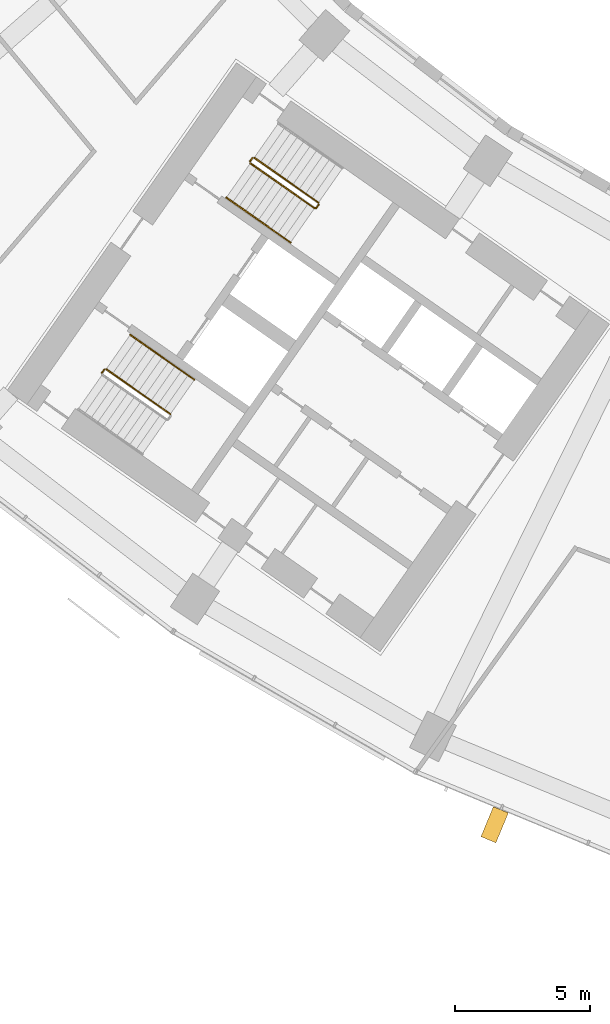
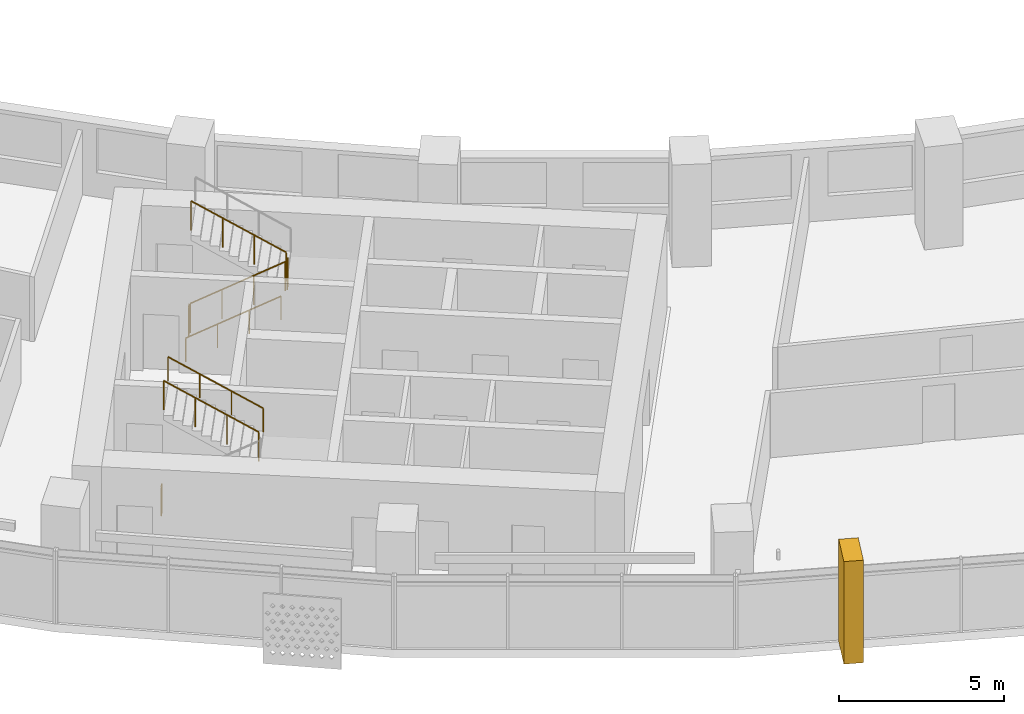
# One storey, part 25 of 30: 7 railings, 1 shading device.
"""IFC4 building model written with IfcOpenShell, lengths in metres."""

import ifcopenshell
import ifcopenshell.guid

model = None  # the IFC model being written
_history = None  # IfcOwnerHistory: only IFC2X3 demands one
_inside = {}  # id of a spatial element -> (the spatial element, [elements in it])
_under = {}  # id of a project, library or spatial element -> (it, [spatial elements below it])
_declared = {}  # id of a project -> (the project, [libraries it declares])
_typed = {}  # id of a type object -> (the type object, [elements of that type])
_made_of = {}  # id of a material, layer set ... -> (it, [elements and type objects made of it])


def new_model(schema):
    """Start an empty IFC model of exactly this schema.

    Asked for "IFC4X3", IfcOpenShell would pick the latest addendum, in which some entities
    have other attributes; the version numbers below select the first issue.
    IFC2X3 requires an IfcOwnerHistory on every rooted entity: one is made here for all.
    """
    global model, _history
    if schema == "IFC4X3":
        model = ifcopenshell.file(schema_version=(4, 3, 0, 0))
    else:
        model = ifcopenshell.file(schema=schema)
    _inside.clear()
    _under.clear()
    _declared.clear()
    _typed.clear()
    _made_of.clear()
    _history = None
    if model.schema == "IFC2X3":
        org = make("IfcOrganization", Name="unknown")
        user = make(
            "IfcPersonAndOrganization",
            ThePerson=make("IfcPerson", FamilyName="unknown"),
            TheOrganization=org,
        )
        app = make(
            "IfcApplication",
            ApplicationDeveloper=org,
            Version="unknown",
            ApplicationFullName="unknown",
            ApplicationIdentifier="unknown",
        )
        _history = make(
            "IfcOwnerHistory",
            OwningUser=user,
            OwningApplication=app,
            ChangeAction="ADDED",
            CreationDate=0,
        )
    return model


def make(cls, **values):
    """One entity of the class cls with the attributes given. An attribute that is None is left unset."""
    return model.create_entity(
        cls, **{name: value for name, value in values.items() if value is not None}
    )


def rooted(cls, **values):
    """An entity with a GlobalId (a new one), such as an element, a storey or a relation."""
    return make(cls, GlobalId=ifcopenshell.guid.new(), OwnerHistory=_history, **values)


def si_unit(unit_type, name, prefix=None):
    """IfcSIUnit, for example si_unit("LENGTHUNIT", "METRE", prefix="MILLI")."""
    return make("IfcSIUnit", UnitType=unit_type, Prefix=prefix, Name=name)


def assignment(units):
    """IfcUnitAssignment: the units of a project."""
    return None if units is None else make("IfcUnitAssignment", Units=units)


def point(xyz):
    """IfcCartesianPoint."""
    return None if xyz is None else make("IfcCartesianPoint", Coordinates=xyz)


def direction(xyz):
    """IfcDirection."""
    return None if xyz is None else make("IfcDirection", DirectionRatios=xyz)


def frame(location, z_axis=None, x_axis=None):
    """IfcAxis2Placement3D, a coordinate frame: its origin and axes. An axis left out is left unset."""
    return make(
        "IfcAxis2Placement3D",
        Location=point(location),
        Axis=direction(z_axis),
        RefDirection=direction(x_axis),
    )


def frame_2d(location, x_axis=None):
    """IfcAxis2Placement2D, a coordinate frame in the plane: its origin and x axis."""
    return make(
        "IfcAxis2Placement2D", Location=point(location), RefDirection=direction(x_axis)
    )


def origin():
    """The frame at (0, 0, 0) with its axes left unset."""
    return frame((0.0, 0.0, 0.0))


def origin_2d():
    """The frame at (0, 0) in the plane with its x axis left unset."""
    return frame_2d((0.0, 0.0))


def place(relative_to, where):
    """IfcLocalPlacement: puts the frame where relative to a parent placement (None: the world)."""
    return make(
        "IfcLocalPlacement", PlacementRelTo=relative_to, RelativePlacement=where
    )


def context(
    kind, dimensions, precision=None, world=None, true_north=None, identifier=None
):
    """IfcGeometricRepresentationContext, for example the 3D "Model" context."""
    return make(
        "IfcGeometricRepresentationContext",
        ContextIdentifier=identifier,
        ContextType=kind,
        CoordinateSpaceDimension=dimensions,
        Precision=precision,
        WorldCoordinateSystem=world,
        TrueNorth=true_north,
    )


def subcontext(parent, identifier, kind, view, scale=None):
    """IfcGeometricRepresentationSubContext, for example "Body" below "Model"."""
    return make(
        "IfcGeometricRepresentationSubContext",
        ContextIdentifier=identifier,
        ContextType=kind,
        ParentContext=parent,
        TargetScale=scale,
        TargetView=view,
    )


def project(units=None, contexts=None):
    """IfcProject with its units and contexts."""
    return rooted(
        "IfcProject",
        Name="project",
        RepresentationContexts=contexts,
        UnitsInContext=assignment(units),
    )


def spatial(cls, under=None, at=None, **own):
    """A site, building, storey or space (cls), placed at a placement, below another one or the project."""
    s = rooted(cls, ObjectPlacement=at, **own)
    if under is not None:
        _under.setdefault(under.id(), (under, []))[1].append(s)
    return s


def polyline(points):
    """IfcPolyline through the points."""
    return make("IfcPolyline", Points=[point(p) for p in points])


def profile(cls, at=None, kind="AREA", **sizes):
    """A parametric profile (cls). Its sizes go by their IFC names, for example OverallWidth=200.0."""
    return make(cls, ProfileType=kind, Position=at, **sizes)


def circle(**sizes):
    """IfcCircleProfileDef."""
    return profile("IfcCircleProfileDef", **sizes)


def outline(outer, holes=None, kind="AREA"):
    """IfcArbitraryClosedProfileDef: a profile drawn as a closed curve; with holes, ...WithVoids."""
    if holes is None:
        return make("IfcArbitraryClosedProfileDef", ProfileType=kind, OuterCurve=outer)
    return make(
        "IfcArbitraryProfileDefWithVoids",
        ProfileType=kind,
        OuterCurve=outer,
        InnerCurves=holes,
    )


def extrude(swept, where, along, depth):
    """IfcExtrudedAreaSolid: the profile swept, set in the frame where, extruded along a direction by depth."""
    return make(
        "IfcExtrudedAreaSolid",
        SweptArea=swept,
        Position=where,
        ExtrudedDirection=direction(along),
        Depth=depth,
    )


def shape(context_of_items, identifier, shape_type, items):
    """IfcShapeRepresentation: the items that make up one representation, for example the "Body"."""
    return make(
        "IfcShapeRepresentation",
        ContextOfItems=context_of_items,
        RepresentationIdentifier=identifier,
        RepresentationType=shape_type,
        Items=items,
    )


def material(Name=None, Category=None):
    """IfcMaterial."""
    return make("IfcMaterial", Name=Name, Category=Category)


def made_of(thing, what):
    """Note that an element or type object is made of a material, layer set ...; save() writes the relation."""
    if what is not None:
        _made_of.setdefault(what.id(), (what, []))[1].append(thing)
    return thing


def type_object(cls, material=None, **own):
    """A type object (cls), such as IfcWallType, which elements share."""
    return made_of(rooted(cls, **own), material)


def element(
    cls,
    number,
    at=None,
    inside=None,
    cuts=None,
    type_object=None,
    material=None,
    context=None,
    identifier="Body",
    shape_type=None,
    held_by="IfcProductDefinitionShape",
    body=None,
    shapes=None,
    **own,
):
    """One element of the class cls, such as IfcWall. Its Tag is "e" and its number.

    at: its placement. inside: the storey or other place that contains it. cuts: it is an
    opening in that element (IfcRelVoidsElement). A single representation is given by context,
    identifier, shape_type and body (its items); several are given by shapes. held_by: the class
    of the entity that holds the representations. save() writes the other relations.
    """
    e = rooted(cls, Tag="e%d" % number, ObjectPlacement=at, **own)
    if body is not None:
        shapes = [shape(context, identifier, shape_type, body)]
    if shapes is not None:
        e.Representation = make(held_by, Representations=shapes)
    if inside is not None:
        _inside.setdefault(inside.id(), (inside, []))[1].append(e)
    if cuts is not None:
        rooted(
            "IfcRelVoidsElement", RelatingBuildingElement=cuts, RelatedOpeningElement=e
        )
    if type_object is not None:
        _typed.setdefault(type_object.id(), (type_object, []))[1].append(e)
    return made_of(e, material)


def aggregate(whole, parts):
    """IfcRelAggregates: a whole, such as a stair, and the parts it consists of."""
    return rooted("IfcRelAggregates", RelatingObject=whole, RelatedObjects=parts)


def save(model, path):
    """Write the relations noted so far, then the file.

    IfcRelAggregates (storeys below a building ...), IfcRelContainedInSpatialStructure (elements
    in a storey), IfcRelDefinesByType, IfcRelAssociatesMaterial and IfcRelDeclares: one each for
    every whole, place, type object, material and project.
    """
    for whole, parts in _under.values():
        aggregate(whole, parts)
    for where, things in _inside.values():
        rooted(
            "IfcRelContainedInSpatialStructure",
            RelatedElements=things,
            RelatingStructure=where,
        )
    for kind, things in _typed.values():
        rooted("IfcRelDefinesByType", RelatedObjects=things, RelatingType=kind)
    for what, things in _made_of.values():
        rooted("IfcRelAssociatesMaterial", RelatedObjects=things, RelatingMaterial=what)
    for by, libraries in _declared.values():
        rooted("IfcRelDeclares", RelatingContext=by, RelatedDefinitions=libraries)
    model.write(path)


model = new_model("IFC4")

# Units and contexts
model_context = context("Model", 3, precision=1e-05, world=origin(), true_north=direction((0.0, 1.0)))
body_context = subcontext(model_context, "Body", "Model", "MODEL_VIEW")
ifc_project = project(units=[si_unit("LENGTHUNIT", "METRE"), si_unit("AREAUNIT", "SQUARE_METRE"), si_unit("VOLUMEUNIT", "CUBIC_METRE"), si_unit("PLANEANGLEUNIT", "RADIAN"), si_unit("MASSUNIT", "GRAM", prefix="KILO")], contexts=[model_context])

# Site, building, storey
site_placement = place(None, origin())
site = spatial("IfcSite", under=ifc_project, at=site_placement, CompositionType="ELEMENT")
building_placement = place(site_placement, origin())
building = spatial("IfcBuilding", under=site, at=building_placement, Name="Qamariyya Broadcast Tower", CompositionType="ELEMENT")
storey_placement = place(building_placement, frame((0.0, 0.0, 98.699951171875)))
storey = spatial("IfcBuildingStorey", under=building, at=storey_placement, Name="L21", CompositionType="ELEMENT", Elevation=98.699951171875)

# Shading device
ifc_material_1 = material(Name="Steel S355 powder coated deep red", Category="steel")
shading_device_type = type_object("IfcShadingDeviceType", Name="Deep red frame, powder coated steel box section", PredefinedType="USERDEFINED", material=ifc_material_1)
shading_device_placement = place(storey_placement, origin())
element("IfcShadingDevice", 1, at=shading_device_placement, inside=storey, type_object=shading_device_type, Name="e-frm-B2-F1-posta-L21", ObjectType="FRAME", PredefinedType="USERDEFINED", context=body_context, shape_type="SweptSolid", body=[
    extrude(outline(polyline([(-32.15625, -72.330322265625), (-32.615478515625, -73.43896484375), (-32.06103515625, -73.668701171875), (-31.601806640625, -72.56005859375), (-32.15625, -72.330322265625)])), origin(), (0.0, 0.0, 1.0), 3.800048828125),
])

# Railings
ifc_material_2 = material(Name="Painted steel", Category="steel")
railing_type_1 = type_object("IfcRailingType", Name="Stair guard", PredefinedType="GUARDRAIL", material=ifc_material_2)
railing_1_placement = place(storey_placement, frame((-41.146728515625, -48.52490234375, 0.1728515625)))
element("IfcRailing", 2, at=railing_1_placement, inside=storey, type_object=railing_type_1, Name="L21 ST-W2 stair guard 1", PredefinedType="GUARDRAIL", context=body_context, shape_type="SweptSolid", body=[
    extrude(circle(Radius=0.02392578125, at=origin_2d()), frame((0.0, 0.0, 1.076171875), z_axis=(0.703770094002, -0.492783725636, 0.511734163933), x_axis=(0.573575343427, 0.819152809562, 0.0)), (0.0, 0.0, 1.0), 3.37548828125),
    extrude(circle(Radius=0.02392578125, at=origin_2d()), frame((2.37548828125, -1.663330078125, 2.80322265625), z_axis=(0.985059694769, 0.172213233351, 0.0), x_axis=(-0.172213233351, 0.985059694769, 0.0)), (0.0, 0.0, 1.0), 0.07080078125),
    extrude(circle(Radius=0.02392578125, at=origin_2d()), frame((2.4453125, -1.651123046875, 2.80322265625), z_axis=(0.572588637393, 0.819842821722, 0.0), x_axis=(-0.819842821722, 0.572588637393, 0.0)), (0.0, 0.0, 1.0), 0.150146484375),
    extrude(circle(Radius=0.02099609375, at=origin_2d()), origin(), (0.0, 0.0, 1.0), 1.052001953125),
    extrude(circle(Radius=0.02099609375, at=origin_2d()), frame((0.791748046875, -0.554443359375, 0.57568359375)), (0.0, 0.0, 1.0), 1.052001953125),
    extrude(circle(Radius=0.02099609375, at=origin_2d()), frame((1.583740234375, -1.10888671875, 1.151611328125)), (0.0, 0.0, 1.0), 1.052001953125),
    extrude(circle(Radius=0.02099609375, at=origin_2d()), frame((2.37548828125, -1.663330078125, 1.727294921875)), (0.0, 0.0, 1.0), 1.052001953125),
    extrude(circle(Radius=0.02099609375, at=origin_2d()), frame((2.4453125, -1.651123046875, 1.727294921875)), (0.0, 0.0, 1.0), 1.052001953125),
    extrude(circle(Radius=0.02099609375, at=origin_2d()), frame((2.53125, -1.528076171875, 1.727294921875)), (0.0, 0.0, 1.0), 1.052001953125),
])
railing_2_placement = place(storey_placement, frame((-38.627685546875, -49.9833984375, 2.07275390625)))
element("IfcRailing", 3, at=railing_2_placement, inside=storey, type_object=railing_type_1, Name="L21 ST-W2 stair guard 2", PredefinedType="GUARDRAIL", context=body_context, shape_type="SweptSolid", body=[
    extrude(circle(Radius=0.02392578125, at=origin_2d()), frame((0.0, 0.0, 1.076171875), z_axis=(-0.703770094002, 0.492783725636, 0.511734163933), x_axis=(-0.573575343427, -0.819152809562, 0.0)), (0.0, 0.0, 1.0), 3.37548828125),
    extrude(circle(Radius=0.02099609375, at=origin_2d()), origin(), (0.0, 0.0, 1.0), 1.052001953125),
    extrude(circle(Radius=0.02099609375, at=origin_2d()), frame((-0.791748046875, 0.554443359375, 0.57568359375)), (0.0, 0.0, 1.0), 1.052001953125),
    extrude(circle(Radius=0.02099609375, at=origin_2d()), frame((-1.583740234375, 1.10888671875, 1.151611328125)), (0.0, 0.0, 1.0), 1.052001953125),
    extrude(circle(Radius=0.02099609375, at=origin_2d()), frame((-2.37548828125, 1.663330078125, 1.727294921875)), (0.0, 0.0, 1.0), 1.052001953125),
])
railing_3_placement = place(storey_placement, frame((-41.158935546875, -48.455322265625, 0.0)))
element("IfcRailing", 4, at=railing_3_placement, inside=storey, type_object=railing_type_1, Name="L21 ST-W2 stair guard 3", PredefinedType="GUARDRAIL", context=body_context, shape_type="SweptSolid", body=[
    extrude(circle(Radius=0.02392578125, at=origin_2d()), frame((0.0, 0.0, 1.076171875), z_axis=(0.572588637393, 0.819842821722, 0.0), x_axis=(-0.819842821722, 0.572588637393, 0.0)), (0.0, 0.0, 1.0), 0.150146484375),
    extrude(circle(Radius=0.02099609375, at=origin_2d()), origin(), (0.0, 0.0, 1.0), 1.052001953125),
    extrude(circle(Radius=0.02099609375, at=origin_2d()), frame((0.0859375, 0.123046875, 0.0)), (0.0, 0.0, 1.0), 1.052001953125),
])
railing_4_placement = place(storey_placement, frame((-44.10546875, -57.806396484375, 2.07275390625)))
element("IfcRailing", 5, at=railing_4_placement, inside=storey, type_object=railing_type_1, Name="L21 ST-W1 stair guard 2", PredefinedType="GUARDRAIL", context=body_context, shape_type="SweptSolid", body=[
    extrude(circle(Radius=0.02392578125, at=origin_2d()), frame((0.0, 0.0, 1.076171875), z_axis=(-0.703770094002, 0.492783725636, 0.511734163933), x_axis=(-0.573575343427, -0.819152809562, 0.0)), (0.0, 0.0, 1.0), 3.37548828125),
    extrude(circle(Radius=0.02099609375, at=origin_2d()), origin(), (0.0, 0.0, 1.0), 1.052001953125),
    extrude(circle(Radius=0.02099609375, at=origin_2d()), frame((-0.791748046875, 0.554443359375, 0.57568359375)), (0.0, 0.0, 1.0), 1.052001953125),
    extrude(circle(Radius=0.02099609375, at=origin_2d()), frame((-1.583740234375, 1.10888671875, 1.151611328125)), (0.0, 0.0, 1.0), 1.052001953125),
    extrude(circle(Radius=0.02099609375, at=origin_2d()), frame((-2.37548828125, 1.663330078125, 1.727294921875)), (0.0, 0.0, 1.0), 1.052001953125),
])
railing_5_placement = place(storey_placement, frame((-46.63671875, -56.278076171875, 0.0)))
element("IfcRailing", 6, at=railing_5_placement, inside=storey, type_object=railing_type_1, Name="L21 ST-W1 stair guard 3", PredefinedType="GUARDRAIL", context=body_context, shape_type="SweptSolid", body=[
    extrude(circle(Radius=0.02392578125, at=origin_2d()), frame((0.0, 0.0, 1.076171875), z_axis=(0.574444878118, 0.818543268254, 0.0), x_axis=(-0.818543268254, 0.574444878118, 0.0)), (0.0, 0.0, 1.0), 0.150146484375),
    extrude(circle(Radius=0.02099609375, at=origin_2d()), origin(), (0.0, 0.0, 1.0), 1.052001953125),
    extrude(circle(Radius=0.02099609375, at=origin_2d()), frame((0.086181640625, 0.122802734375, 0.0)), (0.0, 0.0, 1.0), 1.052001953125),
])
ifc_material_3 = material(Name="Stainless steel", Category="steel")
railing_type_2 = type_object("IfcRailingType", Name="Stair handrail", PredefinedType="HANDRAIL", material=ifc_material_3)
railing_6_placement = place(storey_placement, frame((-42.03564453125, -49.79443359375, 0.1728515625)))
element("IfcRailing", 7, at=railing_6_placement, inside=storey, type_object=railing_type_2, Name="L21 ST-W2 stair handrail 1", PredefinedType="HANDRAIL", context=body_context, shape_type="SweptSolid", body=[
    extrude(circle(Radius=0.02392578125, at=origin_2d()), frame((0.0, 0.0, 0.8759765625), z_axis=(0.703745009021, -0.492838488332, 0.511715923826), x_axis=(0.573631830683, 0.819113253969, 0.0)), (0.0, 0.0, 1.0), 3.37548828125),
    extrude(circle(Radius=0.02099609375, at=origin_2d()), origin(), (0.0, 0.0, 1.0), 0.851806640625),
    extrude(circle(Radius=0.02099609375, at=origin_2d()), frame((0.791748046875, -0.554443359375, 0.57568359375)), (0.0, 0.0, 1.0), 0.851806640625),
    extrude(circle(Radius=0.02099609375, at=origin_2d()), frame((1.583740234375, -1.109130859375, 1.151611328125)), (0.0, 0.0, 1.0), 0.851806640625),
    extrude(circle(Radius=0.02099609375, at=origin_2d()), frame((2.37548828125, -1.66357421875, 1.727294921875)), (0.0, 0.0, 1.0), 0.851806640625),
])
railing_7_placement = place(storey_placement, frame((-43.21630859375, -56.53662109375, 2.07275390625)))
element("IfcRailing", 8, at=railing_7_placement, inside=storey, type_object=railing_type_2, Name="L21 ST-W1 stair handrail 2", PredefinedType="HANDRAIL", context=body_context, shape_type="SweptSolid", body=[
    extrude(circle(Radius=0.02392578125, at=origin_2d()), frame((0.0, 0.0, 0.8759765625), z_axis=(-0.703770094002, 0.492783725636, 0.511734163933), x_axis=(-0.573575343427, -0.819152809562, 0.0)), (0.0, 0.0, 1.0), 3.37548828125),
    extrude(circle(Radius=0.02099609375, at=origin_2d()), origin(), (0.0, 0.0, 1.0), 0.851806640625),
    extrude(circle(Radius=0.02099609375, at=origin_2d()), frame((-0.791748046875, 0.554443359375, 0.57568359375)), (0.0, 0.0, 1.0), 0.851806640625),
    extrude(circle(Radius=0.02099609375, at=origin_2d()), frame((-1.583740234375, 1.10888671875, 1.151611328125)), (0.0, 0.0, 1.0), 0.851806640625),
    extrude(circle(Radius=0.02099609375, at=origin_2d()), frame((-2.37548828125, 1.663330078125, 1.727294921875)), (0.0, 0.0, 1.0), 0.851806640625),
])

save(model, "model.ifc")
